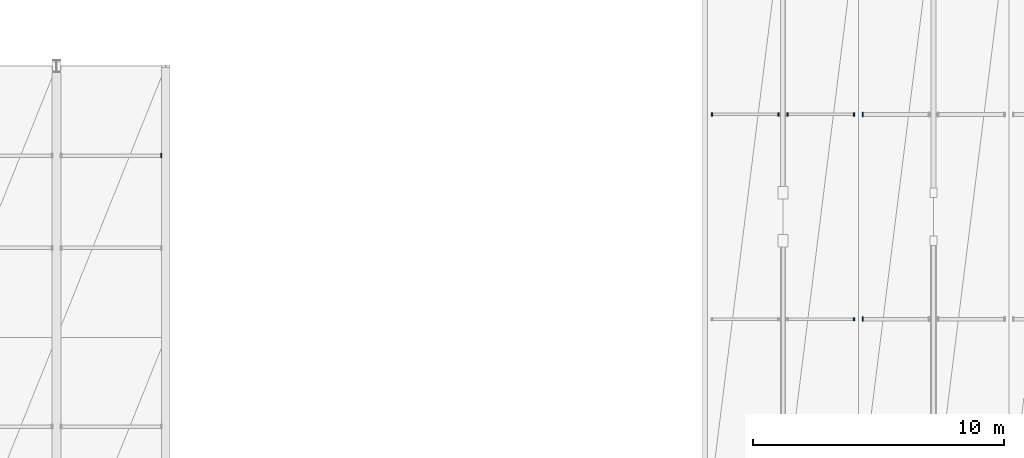
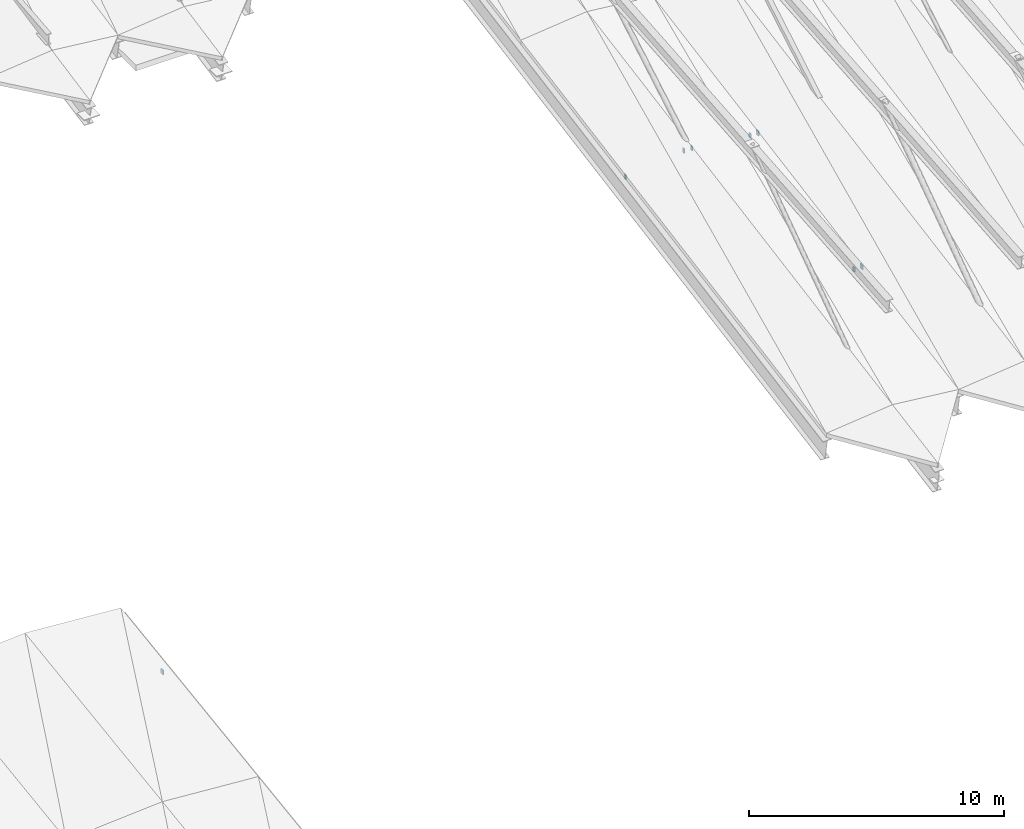
# One storey, part 31 of 52: 8 discrete accessories.
"""IFC4 building model written with IfcOpenShell, lengths in metres."""

from ifc_helpers import new_model, si_unit, direction, frame, origin, origin_2d, place, context, subcontext, project, spatial, rectangle, extrude, material, layer, layer_set, type_object, element, save


model = new_model("IFC4")

# Units and contexts
model_context = context("Model", 3, precision=1e-05, world=origin(), true_north=direction((0.0, 1.0)))
body_context = subcontext(model_context, "Body", "Model", "MODEL_VIEW")
ifc_project = project(units=[si_unit("LENGTHUNIT", "METRE"), si_unit("AREAUNIT", "SQUARE_METRE"), si_unit("VOLUMEUNIT", "CUBIC_METRE"), si_unit("PLANEANGLEUNIT", "RADIAN"), si_unit("MASSUNIT", "GRAM", prefix="KILO")], contexts=[model_context])

# Site, building, storey
site_placement = place(None, origin())
site = spatial("IfcSite", under=ifc_project, at=site_placement, CompositionType="ELEMENT")
building_placement = place(site_placement, origin())
building = spatial("IfcBuilding", under=site, at=building_placement, Name="Vaelkrest Opera House", CompositionType="ELEMENT")
storey_placement = place(building_placement, frame((0.0, 0.0, 41.39990234375)))
storey = spatial("IfcBuildingStorey", under=building, at=storey_placement, Name="ROOF", CompositionType="ELEMENT", Elevation=41.39990234375)

# Discrete accessories
ifc_material = material(Name="Steel A572 Gr50", Category="steel")
ifc_layer = layer(ifc_material, 0.320068359375)
ifc_layer_set = layer_set([ifc_layer], Name="Steel A572 Gr50")
discrete_accessory_type = type_object("IfcDiscreteAccessoryType", Name="ECP01", PredefinedType="USERDEFINED", material=ifc_layer_set)
for number, where, z_axis, x_axis, name in (
    (1, (-24.177490234375, -47.8798828125, -15.275390625), (0.0, 0.0, 1.0), (1.0, 0.0, 0.0), "Purlin HSS end cap plate V1-01-S1-33-E1"),
    (2, (-29.822509765625, -39.719970703125, -13.8154296875), (0.0, 0.0, 1.0), (1.0, 0.0, 0.0), "Purlin HSS end cap plate V1-01-S1-67-W0"),
    (3, (-27.177490234375, -39.719970703125, -13.4912109375), (0.0, 0.0, 1.0), (1.0, 0.0, 0.0), "Purlin HSS end cap plate V1-01-S1-67-W1"),
    (4, (-26.822509765625, -39.719970703125, -13.4912109375), (0.0, 0.0, 1.0), (1.0, 0.0, 0.0), "Purlin HSS end cap plate V1-01-S1-67-E0"),
    (5, (-24.177490234375, -39.719970703125, -13.8154296875), (0.0, 0.0, 1.0), (1.0, 0.0, 0.0), "Purlin HSS end cap plate V1-01-S1-67-E1"),
):
    element("IfcDiscreteAccessory", number, at=place(storey_placement, frame(where, z_axis=z_axis, x_axis=x_axis)), inside=storey, type_object=discrete_accessory_type, Name=name, ObjectType="CAP PLATE", PredefinedType="USERDEFINED", context=body_context, shape_type="SweptSolid", body=[
        extrude(rectangle(XDim=0.054931640625, YDim=0.1259765625, at=origin_2d()), origin(), (0.0, 0.0, 1.0), 0.218994140625),
    ])
for number, where, z_axis, x_axis, name in (
    (6, (-23.822509765625, -47.8798828125, -15.275390625), (0.0, 0.0, 1.0), (1.0, 0.0, 0.0), "Purlin HSS end cap plate V1-02-S1-33-W0"),
    (7, (-23.822509765625, -39.719970703125, -13.8154296875), (0.0, 0.0, 1.0), (1.0, 0.0, 0.0), "Purlin HSS end cap plate V1-02-S1-67-W0"),
    (8, (-51.777587890625, -41.364013671875, -28.861328125), (0.0, 0.0, 1.0), (1.0, 0.0, 0.0), "Purlin HSS end cap plate V5-04-S2-67-E1"),
):
    element("IfcDiscreteAccessory", number, at=place(storey_placement, frame(where, z_axis=z_axis, x_axis=x_axis)), inside=storey, type_object=discrete_accessory_type, Name=name, ObjectType="CAP PLATE", PredefinedType="USERDEFINED", context=body_context, shape_type="SweptSolid", body=[
        extrude(rectangle(XDim=0.054931640625, YDim=0.176025390625, at=origin_2d()), origin(), (0.0, 0.0, 1.0), 0.218994140625),
    ])

save(model, "model.ifc")
